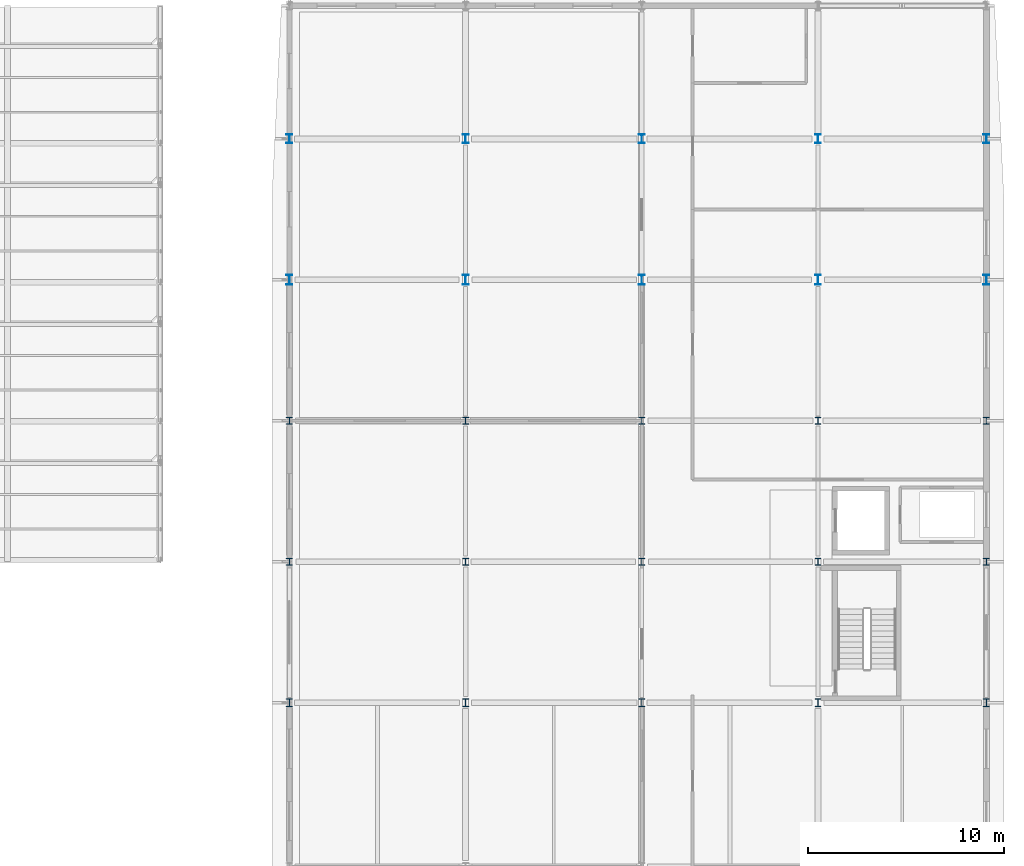
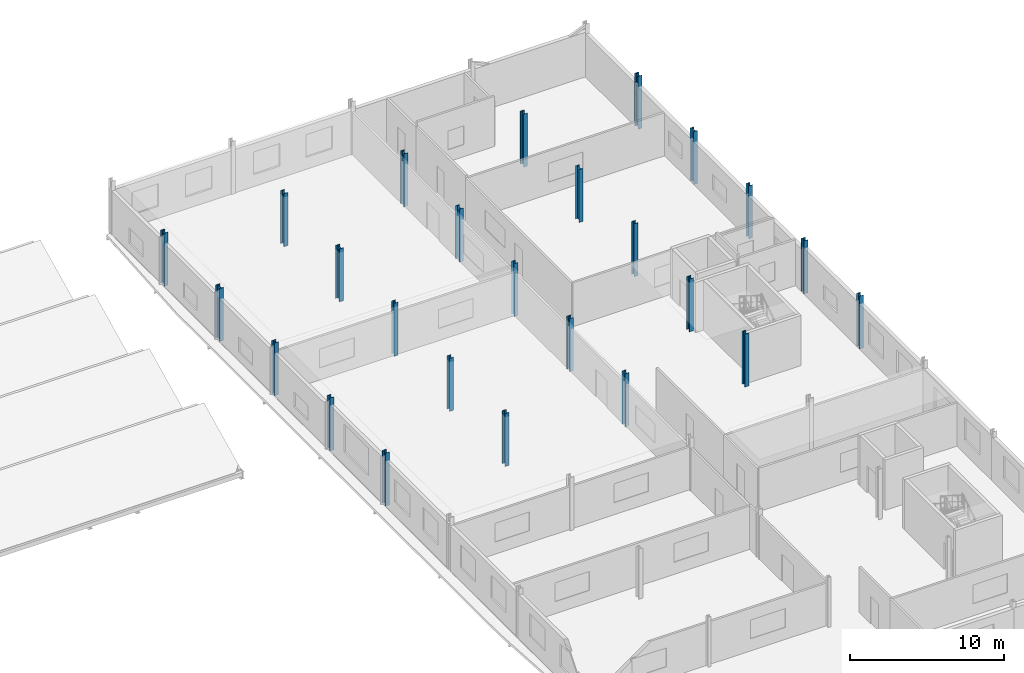
# One storey, part 23 of 138: 25 columns.
"""IFC4 building model written with IfcOpenShell, lengths in metres."""

from ifc_helpers import new_model, si_unit, direction, frame, origin, origin_2d, place, context, subcontext, project, spatial, i_section, extrude, material, material_profile, profile_set, type_object, element, save


model = new_model("IFC4")

# Units and contexts
model_context = context("Model", 3, precision=1e-05, world=origin(), true_north=direction((0.0, 1.0)))
body_context = subcontext(model_context, "Body", "Model", "MODEL_VIEW")
ifc_project = project(units=[si_unit("LENGTHUNIT", "METRE"), si_unit("AREAUNIT", "SQUARE_METRE"), si_unit("VOLUMEUNIT", "CUBIC_METRE"), si_unit("PLANEANGLEUNIT", "RADIAN"), si_unit("MASSUNIT", "GRAM", prefix="KILO")], contexts=[model_context])

# Site, building, storey
site_placement = place(None, origin())
site = spatial("IfcSite", under=ifc_project, at=site_placement, CompositionType="ELEMENT")
building_placement = place(site_placement, origin())
building = spatial("IfcBuilding", under=site, at=building_placement, Name="Vinh Khe Railworks Police Headquarters", CompositionType="ELEMENT")
storey_placement = place(building_placement, frame((0.0, 0.0, 9.0)))
storey = spatial("IfcBuildingStorey", under=building, at=storey_placement, Name="L02", CompositionType="ELEMENT", Elevation=9.0)

# Columns
ifc_material = material(Name="Steel S355JR", Category="steel")
ifc_material_profile_1 = material_profile(ifc_material, i_section(OverallWidth=0.300048828125, OverallDepth=0.340087890625, WebThickness=0.011962890625, FlangeThickness=0.021484375, FilletRadius=0.027099609375, at=origin_2d()), Name="HEB 340")
ifc_profile_set_1 = profile_set([ifc_material_profile_1], Name="Steel S355JR")
column_type_1 = type_object("IfcColumnType", Name="Steel Column HEB 340", PredefinedType="COLUMN", material=ifc_profile_set_1)
for number, where, z_axis, x_axis, name in (
    (1, (78.0, 145.199951171875, 0.0), (0.0, 0.0, 1.0), (1.0, 0.0, 0.0), "Column COL-L02-SC-10-1187"),
    (2, (87.0, 145.199951171875, 0.0), (0.0, 0.0, 1.0), (1.0, 0.0, 0.0), "Column COL-L02-SC-10-1248"),
    (3, (96.0, 145.199951171875, 0.0), (0.0, 0.0, 1.0), (1.0, 0.0, 0.0), "Column COL-L02-SC-10-1309"),
    (4, (105.0, 145.199951171875, 0.0), (0.0, 0.0, 1.0), (1.0, 0.0, 0.0), "Column COL-L02-SC-10-1370"),
    (5, (113.60009765625, 145.199951171875, 0.0), (0.0, 0.0, 1.0), (1.0, 0.0, 0.0), "Column COL-L02-SC-10-1431"),
):
    element("IfcColumn", number, at=place(storey_placement, frame(where, z_axis=z_axis, x_axis=x_axis)), inside=storey, type_object=column_type_1, Name=name, PredefinedType="COLUMN", context=body_context, shape_type="SweptSolid", body=[
        extrude(i_section(OverallWidth=0.300048828125, OverallDepth=0.340087890625, WebThickness=0.011962890625, FlangeThickness=0.021484375, FilletRadius=0.027099609375, at=origin_2d()), origin(), (0.0, 0.0, 1.0), 4.199951171875),
    ])
ifc_material_profile_2 = material_profile(ifc_material, i_section(OverallWidth=0.300048828125, OverallDepth=0.360107421875, WebThickness=0.012451171875, FlangeThickness=0.0224609375, FilletRadius=0.027099609375, at=origin_2d()), Name="HEB 360")
ifc_profile_set_2 = profile_set([ifc_material_profile_2], Name="Steel S355JR")
column_type_2 = type_object("IfcColumnType", Name="Steel Column HEB 360", PredefinedType="COLUMN", material=ifc_profile_set_2)
for number, where, z_axis, x_axis, name in (
    (6, (78.0, 138.0, 0.0), (0.0, 0.0, 1.0), (1.0, 0.0, 0.0), "Column COL-L02-SC-09-1180"),
    (7, (87.0, 138.0, 0.0), (0.0, 0.0, 1.0), (1.0, 0.0, 0.0), "Column COL-L02-SC-09-1241"),
    (8, (96.0, 138.0, 0.0), (0.0, 0.0, 1.0), (1.0, 0.0, 0.0), "Column COL-L02-SC-09-1302"),
    (9, (105.0, 138.0, 0.0), (0.0, 0.0, 1.0), (1.0, 0.0, 0.0), "Column COL-L02-SC-09-1363"),
    (10, (113.60009765625, 138.0, 0.0), (0.0, 0.0, 1.0), (1.0, 0.0, 0.0), "Column COL-L02-SC-09-1424"),
):
    element("IfcColumn", number, at=place(storey_placement, frame(where, z_axis=z_axis, x_axis=x_axis)), inside=storey, type_object=column_type_2, Name=name, PredefinedType="COLUMN", context=body_context, shape_type="SweptSolid", body=[
        extrude(i_section(OverallWidth=0.300048828125, OverallDepth=0.360107421875, WebThickness=0.012451171875, FlangeThickness=0.0224609375, FilletRadius=0.027099609375, at=origin_2d()), origin(), (0.0, 0.0, 1.0), 4.199951171875),
    ])
ifc_material_profile_3 = material_profile(ifc_material, i_section(OverallWidth=0.300048828125, OverallDepth=0.39990234375, WebThickness=0.013427734375, FlangeThickness=0.02392578125, FilletRadius=0.027099609375, at=origin_2d()), Name="HEB 400")
ifc_profile_set_3 = profile_set([ifc_material_profile_3], Name="Steel S355JR")
column_type_3 = type_object("IfcColumnType", Name="Steel Column HEB 400", PredefinedType="COLUMN", material=ifc_profile_set_3)
for number, where, z_axis, x_axis, name in (
    (11, (78.0, 130.800048828125, 0.0), (0.0, 0.0, 1.0), (1.0, 0.0, 0.0), "Column COL-L02-SC-08-1173"),
    (12, (87.0, 130.800048828125, 0.0), (0.0, 0.0, 1.0), (1.0, 0.0, 0.0), "Column COL-L02-SC-08-1234"),
    (13, (96.0, 130.800048828125, 0.0), (0.0, 0.0, 1.0), (1.0, 0.0, 0.0), "Column COL-L02-SC-08-1295"),
    (14, (105.0, 130.800048828125, 0.0), (0.0, 0.0, 1.0), (1.0, 0.0, 0.0), "Column COL-L02-SC-08-1356"),
    (15, (113.60009765625, 130.800048828125, 0.0), (0.0, 0.0, 1.0), (1.0, 0.0, 0.0), "Column COL-L02-SC-08-1417"),
):
    element("IfcColumn", number, at=place(storey_placement, frame(where, z_axis=z_axis, x_axis=x_axis)), inside=storey, type_object=column_type_3, Name=name, PredefinedType="COLUMN", context=body_context, shape_type="SweptSolid", body=[
        extrude(i_section(OverallWidth=0.300048828125, OverallDepth=0.39990234375, WebThickness=0.013427734375, FlangeThickness=0.02392578125, FilletRadius=0.027099609375, at=origin_2d()), origin(), (0.0, 0.0, 1.0), 4.199951171875),
    ])
ifc_material_profile_4 = material_profile(ifc_material, i_section(OverallWidth=0.300048828125, OverallDepth=0.449951171875, WebThickness=0.013916015625, FlangeThickness=0.02587890625, FilletRadius=0.027099609375, at=origin_2d()), Name="HEB 450")
ifc_profile_set_4 = profile_set([ifc_material_profile_4], Name="Steel S355JR")
column_type_4 = type_object("IfcColumnType", Name="Steel Column HEB 450", PredefinedType="COLUMN", material=ifc_profile_set_4)
for number, where, z_axis, x_axis, name in (
    (16, (78.0, 159.60009765625, 0.0), (0.0, 0.0, 1.0), (1.0, 0.0, 0.0), "Column COL-L02-SC-07-1201"),
    (17, (87.0, 159.60009765625, 0.0), (0.0, 0.0, 1.0), (1.0, 0.0, 0.0), "Column COL-L02-SC-07-1262"),
    (18, (96.0, 159.60009765625, 0.0), (0.0, 0.0, 1.0), (1.0, 0.0, 0.0), "Column COL-L02-SC-07-1323"),
    (19, (105.0, 159.60009765625, 0.0), (0.0, 0.0, 1.0), (1.0, 0.0, 0.0), "Column COL-L02-SC-07-1384"),
    (20, (113.60009765625, 159.60009765625, 0.0), (0.0, 0.0, 1.0), (1.0, 0.0, 0.0), "Column COL-L02-SC-07-1445"),
):
    element("IfcColumn", number, at=place(storey_placement, frame(where, z_axis=z_axis, x_axis=x_axis)), inside=storey, type_object=column_type_4, Name=name, PredefinedType="COLUMN", context=body_context, shape_type="SweptSolid", body=[
        extrude(i_section(OverallWidth=0.300048828125, OverallDepth=0.449951171875, WebThickness=0.013916015625, FlangeThickness=0.02587890625, FilletRadius=0.027099609375, at=origin_2d()), origin(), (0.0, 0.0, 1.0), 4.199951171875),
    ])
ifc_material_profile_5 = material_profile(ifc_material, i_section(OverallWidth=0.300048828125, OverallDepth=0.5, WebThickness=0.014404296875, FlangeThickness=0.028076171875, FilletRadius=0.027099609375, at=origin_2d()), Name="HEB 500")
ifc_profile_set_5 = profile_set([ifc_material_profile_5], Name="Steel S355JR")
column_type_5 = type_object("IfcColumnType", Name="Steel Column HEB 500", PredefinedType="COLUMN", material=ifc_profile_set_5)
for number, where, z_axis, x_axis, name in (
    (21, (78.0, 152.39990234375, 0.0), (0.0, 0.0, 1.0), (1.0, 0.0, 0.0), "Column COL-L02-SC-06-1194"),
    (22, (87.0, 152.39990234375, 0.0), (0.0, 0.0, 1.0), (1.0, 0.0, 0.0), "Column COL-L02-SC-06-1255"),
    (23, (96.0, 152.39990234375, 0.0), (0.0, 0.0, 1.0), (1.0, 0.0, 0.0), "Column COL-L02-SC-06-1316"),
    (24, (105.0, 152.39990234375, 0.0), (0.0, 0.0, 1.0), (1.0, 0.0, 0.0), "Column COL-L02-SC-06-1377"),
    (25, (113.60009765625, 152.39990234375, 0.0), (0.0, 0.0, 1.0), (1.0, 0.0, 0.0), "Column COL-L02-SC-06-1438"),
):
    element("IfcColumn", number, at=place(storey_placement, frame(where, z_axis=z_axis, x_axis=x_axis)), inside=storey, type_object=column_type_5, Name=name, PredefinedType="COLUMN", context=body_context, shape_type="SweptSolid", body=[
        extrude(i_section(OverallWidth=0.300048828125, OverallDepth=0.5, WebThickness=0.014404296875, FlangeThickness=0.028076171875, FilletRadius=0.027099609375, at=origin_2d()), origin(), (0.0, 0.0, 1.0), 4.199951171875),
    ])

save(model, "model.ifc")
